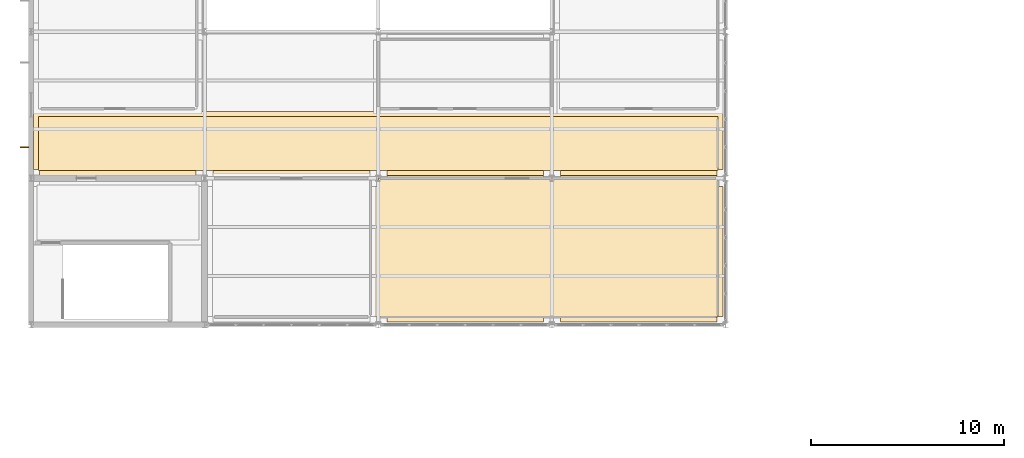
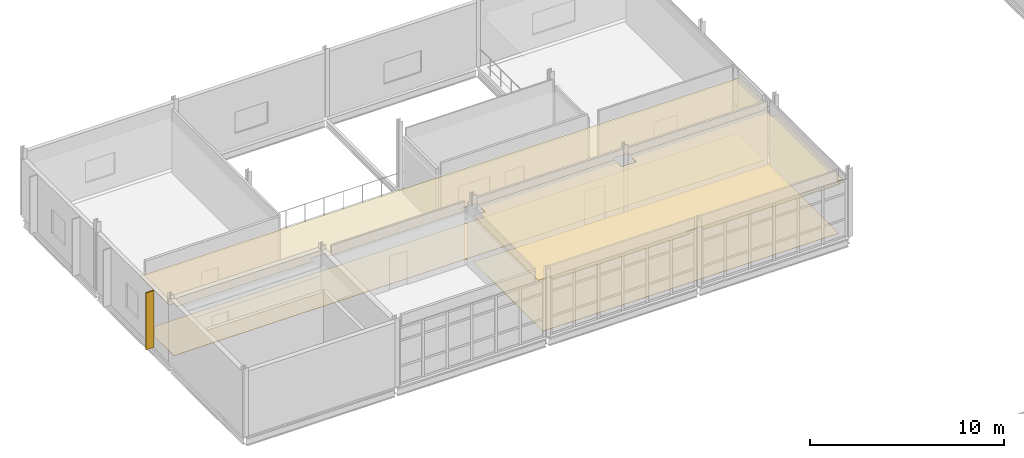
# One storey, part 169 of 174: 4 coverings, 1 shading device.
"""IFC4 building model written with IfcOpenShell, lengths in metres."""

import ifcopenshell
import ifcopenshell.guid

model = None  # the IFC model being written
_history = None  # IfcOwnerHistory: only IFC2X3 demands one
_inside = {}  # id of a spatial element -> (the spatial element, [elements in it])
_under = {}  # id of a project, library or spatial element -> (it, [spatial elements below it])
_declared = {}  # id of a project -> (the project, [libraries it declares])
_typed = {}  # id of a type object -> (the type object, [elements of that type])
_made_of = {}  # id of a material, layer set ... -> (it, [elements and type objects made of it])


def new_model(schema):
    """Start an empty IFC model of exactly this schema.

    Asked for "IFC4X3", IfcOpenShell would pick the latest addendum, in which some entities
    have other attributes; the version numbers below select the first issue.
    IFC2X3 requires an IfcOwnerHistory on every rooted entity: one is made here for all.
    """
    global model, _history
    if schema == "IFC4X3":
        model = ifcopenshell.file(schema_version=(4, 3, 0, 0))
    else:
        model = ifcopenshell.file(schema=schema)
    _inside.clear()
    _under.clear()
    _declared.clear()
    _typed.clear()
    _made_of.clear()
    _history = None
    if model.schema == "IFC2X3":
        org = make("IfcOrganization", Name="unknown")
        user = make(
            "IfcPersonAndOrganization",
            ThePerson=make("IfcPerson", FamilyName="unknown"),
            TheOrganization=org,
        )
        app = make(
            "IfcApplication",
            ApplicationDeveloper=org,
            Version="unknown",
            ApplicationFullName="unknown",
            ApplicationIdentifier="unknown",
        )
        _history = make(
            "IfcOwnerHistory",
            OwningUser=user,
            OwningApplication=app,
            ChangeAction="ADDED",
            CreationDate=0,
        )
    return model


def make(cls, **values):
    """One entity of the class cls with the attributes given. An attribute that is None is left unset."""
    return model.create_entity(
        cls, **{name: value for name, value in values.items() if value is not None}
    )


def rooted(cls, **values):
    """An entity with a GlobalId (a new one), such as an element, a storey or a relation."""
    return make(cls, GlobalId=ifcopenshell.guid.new(), OwnerHistory=_history, **values)


def si_unit(unit_type, name, prefix=None):
    """IfcSIUnit, for example si_unit("LENGTHUNIT", "METRE", prefix="MILLI")."""
    return make("IfcSIUnit", UnitType=unit_type, Prefix=prefix, Name=name)


def assignment(units):
    """IfcUnitAssignment: the units of a project."""
    return None if units is None else make("IfcUnitAssignment", Units=units)


def point(xyz):
    """IfcCartesianPoint."""
    return None if xyz is None else make("IfcCartesianPoint", Coordinates=xyz)


def direction(xyz):
    """IfcDirection."""
    return None if xyz is None else make("IfcDirection", DirectionRatios=xyz)


def frame(location, z_axis=None, x_axis=None):
    """IfcAxis2Placement3D, a coordinate frame: its origin and axes. An axis left out is left unset."""
    return make(
        "IfcAxis2Placement3D",
        Location=point(location),
        Axis=direction(z_axis),
        RefDirection=direction(x_axis),
    )


def frame_2d(location, x_axis=None):
    """IfcAxis2Placement2D, a coordinate frame in the plane: its origin and x axis."""
    return make(
        "IfcAxis2Placement2D", Location=point(location), RefDirection=direction(x_axis)
    )


def origin():
    """The frame at (0, 0, 0) with its axes left unset."""
    return frame((0.0, 0.0, 0.0))


def origin_2d():
    """The frame at (0, 0) in the plane with its x axis left unset."""
    return frame_2d((0.0, 0.0))


def place(relative_to, where):
    """IfcLocalPlacement: puts the frame where relative to a parent placement (None: the world)."""
    return make(
        "IfcLocalPlacement", PlacementRelTo=relative_to, RelativePlacement=where
    )


def context(
    kind, dimensions, precision=None, world=None, true_north=None, identifier=None
):
    """IfcGeometricRepresentationContext, for example the 3D "Model" context."""
    return make(
        "IfcGeometricRepresentationContext",
        ContextIdentifier=identifier,
        ContextType=kind,
        CoordinateSpaceDimension=dimensions,
        Precision=precision,
        WorldCoordinateSystem=world,
        TrueNorth=true_north,
    )


def subcontext(parent, identifier, kind, view, scale=None):
    """IfcGeometricRepresentationSubContext, for example "Body" below "Model"."""
    return make(
        "IfcGeometricRepresentationSubContext",
        ContextIdentifier=identifier,
        ContextType=kind,
        ParentContext=parent,
        TargetScale=scale,
        TargetView=view,
    )


def project(units=None, contexts=None):
    """IfcProject with its units and contexts."""
    return rooted(
        "IfcProject",
        Name="project",
        RepresentationContexts=contexts,
        UnitsInContext=assignment(units),
    )


def spatial(cls, under=None, at=None, **own):
    """A site, building, storey or space (cls), placed at a placement, below another one or the project."""
    s = rooted(cls, ObjectPlacement=at, **own)
    if under is not None:
        _under.setdefault(under.id(), (under, []))[1].append(s)
    return s


def polyline(points):
    """IfcPolyline through the points."""
    return make("IfcPolyline", Points=[point(p) for p in points])


def profile(cls, at=None, kind="AREA", **sizes):
    """A parametric profile (cls). Its sizes go by their IFC names, for example OverallWidth=200.0."""
    return make(cls, ProfileType=kind, Position=at, **sizes)


def rectangle(**sizes):
    """IfcRectangleProfileDef."""
    return profile("IfcRectangleProfileDef", **sizes)


def outline(outer, holes=None, kind="AREA"):
    """IfcArbitraryClosedProfileDef: a profile drawn as a closed curve; with holes, ...WithVoids."""
    if holes is None:
        return make("IfcArbitraryClosedProfileDef", ProfileType=kind, OuterCurve=outer)
    return make(
        "IfcArbitraryProfileDefWithVoids",
        ProfileType=kind,
        OuterCurve=outer,
        InnerCurves=holes,
    )


def extrude(swept, where, along, depth):
    """IfcExtrudedAreaSolid: the profile swept, set in the frame where, extruded along a direction by depth."""
    return make(
        "IfcExtrudedAreaSolid",
        SweptArea=swept,
        Position=where,
        ExtrudedDirection=direction(along),
        Depth=depth,
    )


def shape(context_of_items, identifier, shape_type, items):
    """IfcShapeRepresentation: the items that make up one representation, for example the "Body"."""
    return make(
        "IfcShapeRepresentation",
        ContextOfItems=context_of_items,
        RepresentationIdentifier=identifier,
        RepresentationType=shape_type,
        Items=items,
    )


def material(Name=None, Category=None):
    """IfcMaterial."""
    return make("IfcMaterial", Name=Name, Category=Category)


def layer(
    of_material, thickness, ventilated=None, Name=None, Category=None, Priority=None
):
    """IfcMaterialLayer: one layer of a wall or slab, of a material (None: an air gap)."""
    return make(
        "IfcMaterialLayer",
        Material=of_material,
        LayerThickness=thickness,
        IsVentilated=ventilated,
        Name=Name,
        Category=Category,
        Priority=Priority,
    )


def layer_set(layers, Name=None):
    """IfcMaterialLayerSet."""
    return make("IfcMaterialLayerSet", MaterialLayers=layers, LayerSetName=Name)


def made_of(thing, what):
    """Note that an element or type object is made of a material, layer set ...; save() writes the relation."""
    if what is not None:
        _made_of.setdefault(what.id(), (what, []))[1].append(thing)
    return thing


def type_object(cls, material=None, **own):
    """A type object (cls), such as IfcWallType, which elements share."""
    return made_of(rooted(cls, **own), material)


def element(
    cls,
    number,
    at=None,
    inside=None,
    cuts=None,
    type_object=None,
    material=None,
    context=None,
    identifier="Body",
    shape_type=None,
    held_by="IfcProductDefinitionShape",
    body=None,
    shapes=None,
    **own,
):
    """One element of the class cls, such as IfcWall. Its Tag is "e" and its number.

    at: its placement. inside: the storey or other place that contains it. cuts: it is an
    opening in that element (IfcRelVoidsElement). A single representation is given by context,
    identifier, shape_type and body (its items); several are given by shapes. held_by: the class
    of the entity that holds the representations. save() writes the other relations.
    """
    e = rooted(cls, Tag="e%d" % number, ObjectPlacement=at, **own)
    if body is not None:
        shapes = [shape(context, identifier, shape_type, body)]
    if shapes is not None:
        e.Representation = make(held_by, Representations=shapes)
    if inside is not None:
        _inside.setdefault(inside.id(), (inside, []))[1].append(e)
    if cuts is not None:
        rooted(
            "IfcRelVoidsElement", RelatingBuildingElement=cuts, RelatedOpeningElement=e
        )
    if type_object is not None:
        _typed.setdefault(type_object.id(), (type_object, []))[1].append(e)
    return made_of(e, material)


def aggregate(whole, parts):
    """IfcRelAggregates: a whole, such as a stair, and the parts it consists of."""
    return rooted("IfcRelAggregates", RelatingObject=whole, RelatedObjects=parts)


def save(model, path):
    """Write the relations noted so far, then the file.

    IfcRelAggregates (storeys below a building ...), IfcRelContainedInSpatialStructure (elements
    in a storey), IfcRelDefinesByType, IfcRelAssociatesMaterial and IfcRelDeclares: one each for
    every whole, place, type object, material and project.
    """
    for whole, parts in _under.values():
        aggregate(whole, parts)
    for where, things in _inside.values():
        rooted(
            "IfcRelContainedInSpatialStructure",
            RelatedElements=things,
            RelatingStructure=where,
        )
    for kind, things in _typed.values():
        rooted("IfcRelDefinesByType", RelatedObjects=things, RelatingType=kind)
    for what, things in _made_of.values():
        rooted("IfcRelAssociatesMaterial", RelatedObjects=things, RelatingMaterial=what)
    for by, libraries in _declared.values():
        rooted("IfcRelDeclares", RelatingContext=by, RelatedDefinitions=libraries)
    model.write(path)


model = new_model("IFC4")

# Units and contexts
model_context = context("Model", 3, precision=1e-05, world=origin(), true_north=direction((0.0, 1.0)))
body_context = subcontext(model_context, "Body", "Model", "MODEL_VIEW")
ifc_project = project(units=[si_unit("LENGTHUNIT", "METRE"), si_unit("AREAUNIT", "SQUARE_METRE"), si_unit("VOLUMEUNIT", "CUBIC_METRE"), si_unit("PLANEANGLEUNIT", "RADIAN"), si_unit("MASSUNIT", "GRAM", prefix="KILO")], contexts=[model_context])

# Site, building, storey
site_placement = place(None, origin())
site = spatial("IfcSite", under=ifc_project, at=site_placement, CompositionType="ELEMENT")
building_placement = place(site_placement, origin())
building = spatial("IfcBuilding", under=site, at=building_placement, Name="Caisbarro Railhouse Central Library", CompositionType="ELEMENT")
storey_placement = place(building_placement, frame((0.0, 0.0, 5.0400390625)))
storey = spatial("IfcBuildingStorey", under=building, at=storey_placement, Name="L01", CompositionType="ELEMENT", Elevation=5.0400390625)

# Coverings
ifc_material_1 = material(Name="Perforated mineral-fibre acoustic ceiling tile")
ifc_layer_1 = layer(ifc_material_1, 0.01806640625, Name="Perforated mineral-fibre acoustic ceiling tile")
ifc_layer_set_1 = layer_set([ifc_layer_1], Name="Perforated mineral-fibre acoustic ceiling tile")
covering_type_1 = type_object("IfcCoveringType", Name="COV-CL01", PredefinedType="CEILING", material=ifc_layer_set_1)
covering_1_placement = place(storey_placement, frame((0.0, 0.0, 3.25)))
element("IfcCovering", 1, at=covering_1_placement, inside=storey, type_object=covering_type_1, Name="CL01 acoustic ceiling Children Mezzanine Corridor L01", PredefinedType="CEILING", context=body_context, shape_type="SweptSolid", body=[
    extrude(outline(polyline([(27.43994140625, 91.639892578125), (26.56005859375, 91.639892578125), (26.56005859375, 91.340087890625), (18.43994140625, 91.340087890625), (18.43994140625, 91.639892578125), (17.56005859375, 91.639892578125), (17.56005859375, 91.340087890625), (9.43994140625, 91.340087890625), (9.43994140625, 91.639892578125), (8.56005859375, 91.639892578125), (8.56005859375, 91.340087890625), (0.43994140625, 91.340087890625), (0.43994140625, 91.639892578125), (0.139892578125, 91.639892578125), (0.139892578125, 94.659912109375), (35.860107421875, 94.659912109375), (35.860107421875, 91.639892578125), (35.56005859375, 91.639892578125), (35.56005859375, 91.340087890625), (27.43994140625, 91.340087890625), (27.43994140625, 91.639892578125)])), origin(), (0.0, 0.0, 1.0), 0.01806640625),
])
ifc_material_2 = material(Name="Slatted acoustic timber baffle ceiling", Category="wood")
ifc_layer_2 = layer(ifc_material_2, 0.031982421875, Name="Slatted acoustic timber baffle ceiling")
ifc_layer_set_2 = layer_set([ifc_layer_2], Name="Slatted acoustic timber baffle ceiling")
covering_type_2 = type_object("IfcCoveringType", Name="COV-CL02", PredefinedType="CEILING", material=ifc_layer_set_2)
covering_2_placement = place(storey_placement, frame((0.0, 0.0, 3.25)))
element("IfcCovering", 2, at=covering_2_placement, inside=storey, type_object=covering_type_2, Name="CL02 acoustic ceiling Youth Media Reading Room", PredefinedType="CEILING", context=body_context, shape_type="SweptSolid", body=[
    extrude(outline(polyline([(26.56005859375, 84.0400390625), (26.56005859375, 83.739990234375), (18.43994140625, 83.739990234375), (18.43994140625, 84.0400390625), (17.739990234375, 84.0400390625), (17.739990234375, 90.760009765625), (18.43994140625, 90.760009765625), (18.43994140625, 91.4599609375), (26.56005859375, 91.4599609375), (26.56005859375, 90.760009765625), (27.43994140625, 90.760009765625), (27.43994140625, 91.4599609375), (35.56005859375, 91.4599609375), (35.56005859375, 90.760009765625), (35.860107421875, 90.760009765625), (35.860107421875, 84.0400390625), (35.56005859375, 84.0400390625), (35.56005859375, 83.739990234375), (27.43994140625, 83.739990234375), (27.43994140625, 84.0400390625), (26.56005859375, 84.0400390625)])), origin(), (0.0, 0.0, 1.0), 0.031982421875),
])
ifc_material_3 = material(Name="Polished cementitious terrazzo flooring")
ifc_layer_3 = layer(ifc_material_3, 0.02197265625, Name="Polished cementitious terrazzo flooring")
ifc_layer_set_3 = layer_set([ifc_layer_3], Name="Polished cementitious terrazzo flooring")
covering_type_3 = type_object("IfcCoveringType", Name="COV-FL01", PredefinedType="FLOORING", material=ifc_layer_set_3)
covering_3_placement = place(storey_placement, origin())
element("IfcCovering", 3, at=covering_3_placement, inside=storey, type_object=covering_type_3, Name="FL01 flooring Children Mezzanine Corridor L01", PredefinedType="FLOORING", context=body_context, shape_type="SweptSolid", body=[
    extrude(outline(polyline([(0.39990234375, 91.60009765625), (35.60009765625, 91.60009765625), (35.60009765625, 94.39990234375), (0.39990234375, 94.39990234375), (0.39990234375, 91.60009765625)])), origin(), (0.0, 0.0, 1.0), 0.02197265625),
])
ifc_material_4 = material(Name="Heavy-duty acoustic linoleum flooring")
ifc_layer_4 = layer(ifc_material_4, 0.011962890625, Name="Heavy-duty acoustic linoleum flooring")
ifc_layer_set_4 = layer_set([ifc_layer_4], Name="Heavy-duty acoustic linoleum flooring")
covering_type_4 = type_object("IfcCoveringType", Name="COV-FL02", PredefinedType="FLOORING", material=ifc_layer_set_4)
covering_4_placement = place(storey_placement, origin())
element("IfcCovering", 4, at=covering_4_placement, inside=storey, type_object=covering_type_4, Name="FL02 flooring Youth Media Reading Room", PredefinedType="FLOORING", context=body_context, shape_type="SweptSolid", body=[
    extrude(outline(polyline([(18.0, 84.0), (35.60009765625, 84.0), (35.60009765625, 91.199951171875), (18.0, 91.199951171875), (18.0, 84.0)])), origin(), (0.0, 0.0, 1.0), 0.011962890625),
])

# Shading device
ifc_material_5 = material(Name="White powder-coated aluminium", Category="aluminium")
shading_device_type = type_object("IfcShadingDeviceType", Name="SHD-FIN01", PredefinedType="USERDEFINED", material=ifc_material_5)
shading_device_placement = place(storey_placement, frame((-0.340087890625, 92.800048828125, 0.02490234375), z_axis=(0.0, 0.0, 1.0), x_axis=(1.0, 0.0, 0.0)))
element("IfcShadingDevice", 5, at=shading_device_placement, inside=storey, type_object=shading_device_type, Name="SFN1 West Solar Fin L01-20", ObjectType="FIN", PredefinedType="USERDEFINED", context=body_context, shape_type="SweptSolid", body=[
    extrude(rectangle(XDim=0.4599609375, YDim=0.06005859375, at=origin_2d()), origin(), (0.0, 0.0, 1.0), 3.580078125),
])

save(model, "model.ifc")
